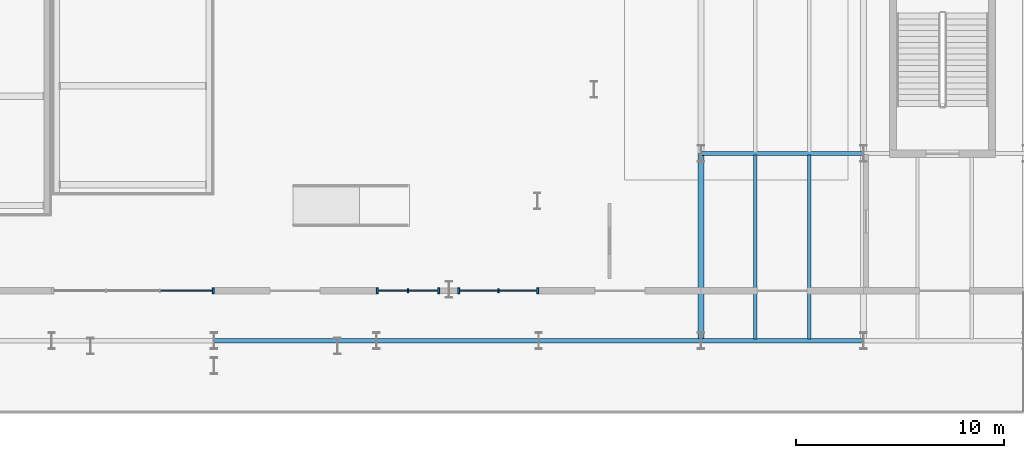
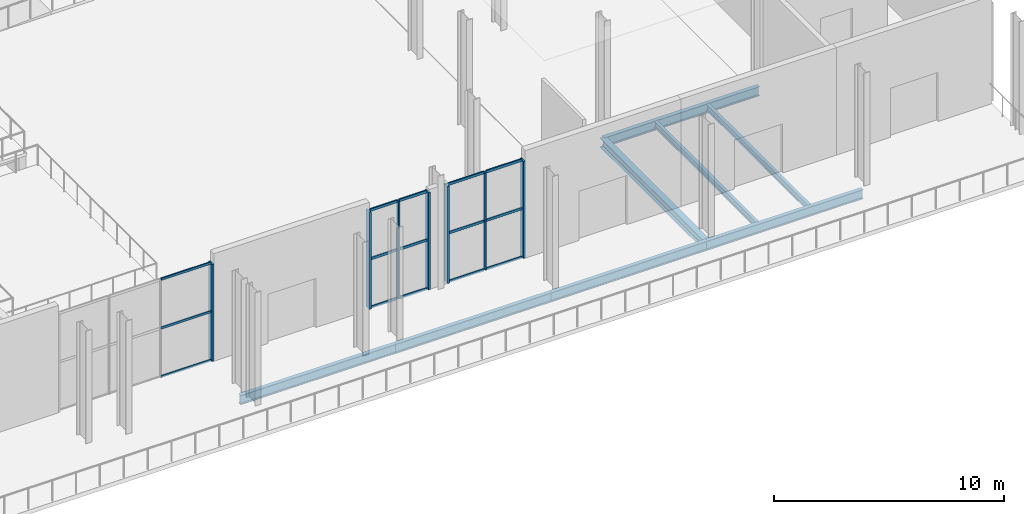
# One storey, part 23 of 84: 22 members, 8 beams, 3 elements without a shape of their own.
"""IFC4 building model written with IfcOpenShell, lengths in metres."""

from ifc_helpers import new_model, si_unit, direction, frame, origin, origin_2d, place, context, subcontext, project, spatial, rectangle, i_section, extrude, material, layer, layer_set, material_profile, profile_set, type_object, element, aggregate, save


model = new_model("IFC4")

# Units and contexts
model_context = context("Model", 3, precision=1e-05, world=origin(), true_north=direction((0.0, 1.0)))
body_context = subcontext(model_context, "Body", "Model", "MODEL_VIEW")
ifc_project = project(units=[si_unit("LENGTHUNIT", "METRE"), si_unit("AREAUNIT", "SQUARE_METRE"), si_unit("VOLUMEUNIT", "CUBIC_METRE"), si_unit("PLANEANGLEUNIT", "RADIAN"), si_unit("MASSUNIT", "GRAM", prefix="KILO")], contexts=[model_context])

# Site, building, storey
site_placement = place(None, origin())
site = spatial("IfcSite", under=ifc_project, at=site_placement, CompositionType="ELEMENT")
building_placement = place(site_placement, origin())
building = spatial("IfcBuilding", under=site, at=building_placement, Name="Sefraquen Railside Congress Hotel", CompositionType="ELEMENT")
storey_placement = place(building_placement, origin())
storey = spatial("IfcBuildingStorey", under=building, at=storey_placement, Name="L00", CompositionType="ELEMENT", Elevation=0.0)

# Beams
ifc_material_1 = material(Name="Steel S355JR", Category="steel")
ifc_material_profile_1 = material_profile(ifc_material_1, i_section(OverallWidth=0.199951171875, OverallDepth=0.5, WebThickness=0.01025390625, FlangeThickness=0.01611328125, FilletRadius=0.02099609375, at=origin_2d()), Name="IPE 500")
ifc_profile_set_1 = profile_set([ifc_material_profile_1], Name="Steel S355JR")
beam_type_1 = type_object("IfcBeamType", Name="TB-BM-500", PredefinedType="BEAM", material=ifc_profile_set_1)
for number, where, z_axis, x_axis, name in (
    (1, (64.199951171875, 9.0, -0.64990234375), (1.0, 0.0, 0.0), (0.0, 1.0, 0.0), "Primary girder BM-L00-0006"),
    (2, (72.0, 9.0, -0.64990234375), (1.0, 0.0, 0.0), (0.0, 1.0, 0.0), "Primary girder BM-L00-0007"),
    (3, (79.800048828125, 9.0, -0.64990234375), (1.0, 0.0, 0.0), (0.0, 1.0, 0.0), "Primary girder BM-L00-0008"),
):
    element("IfcBeam", number, at=place(storey_placement, frame(where, z_axis=z_axis, x_axis=x_axis)), inside=storey, type_object=beam_type_1, Name=name, PredefinedType="BEAM", context=body_context, shape_type="SweptSolid", body=[
        extrude(i_section(OverallWidth=0.199951171875, OverallDepth=0.5, WebThickness=0.01025390625, FlangeThickness=0.01611328125, FilletRadius=0.02099609375, at=origin_2d()), origin(), (0.0, 0.0, 1.0), 7.800048828125),
    ])
for number, where, z_axis, x_axis, name in (
    (4, (87.60009765625, 9.0, -0.64990234375), (1.0, 0.0, 0.0), (0.0, 1.0, 0.0), "Primary girder BM-L00-0009"),
    (5, (87.60009765625, 18.0, -0.64990234375), (1.0, 0.0, 0.0), (0.0, 1.0, 0.0), "Primary girder BM-L00-0019"),
):
    element("IfcBeam", number, at=place(storey_placement, frame(where, z_axis=z_axis, x_axis=x_axis)), inside=storey, type_object=beam_type_1, Name=name, PredefinedType="BEAM", context=body_context, shape_type="SweptSolid", body=[
        extrude(i_section(OverallWidth=0.199951171875, OverallDepth=0.5, WebThickness=0.01025390625, FlangeThickness=0.01611328125, FilletRadius=0.02099609375, at=origin_2d()), origin(), (0.0, 0.0, 1.0), 7.7998046875),
    ])
ifc_material_profile_2 = material_profile(ifc_material_1, i_section(OverallWidth=0.300048828125, OverallDepth=0.489990234375, WebThickness=0.011962890625, FlangeThickness=0.02294921875, FilletRadius=0.027099609375, at=origin_2d()), Name="HEA 500")
ifc_profile_set_2 = profile_set([ifc_material_profile_2], Name="Steel S355JR")
beam_type_2 = type_object("IfcBeamType", Name="TB-GIR-500", PredefinedType="T_BEAM", material=ifc_profile_set_2)
beam_placement = place(storey_placement, frame((87.60009765625, 9.0, -0.64501953125), z_axis=(0.0, 1.0, 0.0), x_axis=(-1.0, 0.0, 0.0)))
element("IfcBeam", 6, at=beam_placement, inside=storey, type_object=beam_type_2, Name="Floor beam BM-L00-0254", PredefinedType="T_BEAM", context=body_context, shape_type="SweptSolid", body=[
    extrude(i_section(OverallWidth=0.300048828125, OverallDepth=0.489990234375, WebThickness=0.011962890625, FlangeThickness=0.02294921875, FilletRadius=0.027099609375, at=origin_2d()), origin(), (0.0, 0.0, 1.0), 9.0),
])
ifc_material_profile_3 = material_profile(ifc_material_1, i_section(OverallWidth=0.159912109375, OverallDepth=0.330078125, WebThickness=0.007568359375, FlangeThickness=0.011474609375, FilletRadius=0.01806640625, at=origin_2d()), Name="IPE 330")
ifc_profile_set_3 = profile_set([ifc_material_profile_3], Name="Steel S355JR")
beam_type_3 = type_object("IfcBeamType", Name="TB-JST-330", PredefinedType="JOIST", material=ifc_profile_set_3)
for number, where, z_axis, x_axis, name in (
    (7, (90.199951171875, 9.080078125, -0.56494140625), (0.0, 1.0, 0.0), (-1.0, 0.0, 0.0), "Composite floor joist BM-L00-J0126"),
    (8, (92.800048828125, 9.080078125, -0.56494140625), (0.0, 1.0, 0.0), (-1.0, 0.0, 0.0), "Composite floor joist BM-L00-J0127"),
):
    element("IfcBeam", number, at=place(storey_placement, frame(where, z_axis=z_axis, x_axis=x_axis)), inside=storey, type_object=beam_type_3, Name=name, PredefinedType="JOIST", context=body_context, shape_type="SweptSolid", body=[
        extrude(i_section(OverallWidth=0.159912109375, OverallDepth=0.330078125, WebThickness=0.007568359375, FlangeThickness=0.011474609375, FilletRadius=0.01806640625, at=origin_2d()), origin(), (0.0, 0.0, 1.0), 8.83984375),
    ])

# Curtain wall, member
ifc_material_2 = material(Name="Thermally broken anodised aluminium and low-E double glazing", Category="aluminium")
ifc_layer_1 = layer(ifc_material_2, 0.199951171875)
ifc_layer_set_1 = layer_set([ifc_layer_1], Name="Thermally broken anodised aluminium and low-E double glazing")
curtain_wall_type_1 = type_object("IfcCurtainWallType", Name="TCW-UCW-02", PredefinedType="USERDEFINED", material=ifc_layer_set_1)
curtain_wall_1_placement = place(storey_placement, origin())
curtain_wall_1 = element("IfcCurtainWall", 9, at=curtain_wall_1_placement, inside=storey, type_object=curtain_wall_type_1, Name="Congress arcade curtain wall UCW-02", ObjectType="UNITISED CURTAIN WALL", PredefinedType="USERDEFINED")
ifc_material_3 = material(Name="Thermally broken anodised aluminium 6063-T6", Category="aluminium")
ifc_material_profile_4 = material_profile(ifc_material_3, rectangle(XDim=0.06494140625, YDim=0.179931640625, at=origin_2d()), Name="CWM 65x180")
ifc_profile_set_4 = profile_set([ifc_material_profile_4], Name="Thermally broken anodised aluminium 6063-T6")
member_type_1 = type_object("IfcMemberType", Name="TM-CWM-02", PredefinedType="MULLION", material=ifc_profile_set_4)
member_1_placement = place(storey_placement, frame((73.522705078125, 11.39990234375, 0.0), z_axis=(0.0, 0.0, 1.0), x_axis=(1.0, 0.0, 0.0)))
member_1 = element("IfcMember", 10, at=member_1_placement, type_object=member_type_1, Name="CW-L00-002 mullion 2", PredefinedType="MULLION", context=body_context, shape_type="SweptSolid", body=[
    extrude(rectangle(XDim=0.06494140625, YDim=0.179931640625, at=origin_2d()), origin(), (0.0, 0.0, 1.0), 5.14990234375),
])

curtain_wall_2_placement = place(storey_placement, origin())
curtain_wall_2 = element("IfcCurtainWall", 11, at=curtain_wall_2_placement, inside=storey, type_object=curtain_wall_type_1, Name="Congress arcade curtain wall UCW-02 bay 2", ObjectType="UNITISED CURTAIN WALL", PredefinedType="USERDEFINED")
member_2_placement = place(storey_placement, frame((77.86279296875, 11.39990234375, 0.0), z_axis=(0.0, 0.0, 1.0), x_axis=(1.0, 0.0, 0.0)))
member_2 = element("IfcMember", 12, at=member_2_placement, type_object=member_type_1, Name="CW-L00-002-S2 mullion 2", PredefinedType="MULLION", context=body_context, shape_type="SweptSolid", body=[
    extrude(rectangle(XDim=0.06494140625, YDim=0.179931640625, at=origin_2d()), origin(), (0.0, 0.0, 1.0), 5.14990234375),
])

ifc_layer_2 = layer(ifc_material_2, 0.199951171875)
ifc_layer_set_2 = layer_set([ifc_layer_2], Name="Thermally broken anodised aluminium and low-E double glazing")
curtain_wall_type_2 = type_object("IfcCurtainWallType", Name="TCW-UCW-01", PredefinedType="USERDEFINED", material=ifc_layer_set_2)
curtain_wall_3_placement = place(storey_placement, origin())
curtain_wall_3 = element("IfcCurtainWall", 13, at=curtain_wall_3_placement, inside=storey, type_object=curtain_wall_type_2, Name="Congress arcade curtain wall UCW-01", ObjectType="UNITISED CURTAIN WALL", PredefinedType="USERDEFINED")
ifc_material_profile_5 = material_profile(ifc_material_3, rectangle(XDim=0.094970703125, YDim=0.300048828125, at=origin_2d()), Name="CWM 95x300")
ifc_profile_set_5 = profile_set([ifc_material_profile_5], Name="Thermally broken anodised aluminium 6063-T6")
member_type_2 = type_object("IfcMemberType", Name="TM-CWM-08", PredefinedType="MULLION", material=ifc_profile_set_5)
member_3_placement = place(storey_placement, frame((64.159912109375, 11.39990234375, 0.0), z_axis=(0.0, 0.0, 1.0), x_axis=(1.0, 0.0, 0.0)))
member_3 = element("IfcMember", 14, at=member_3_placement, type_object=member_type_2, Name="CW-L00-001 mullion 4", PredefinedType="MULLION", context=body_context, shape_type="SweptSolid", body=[
    extrude(rectangle(XDim=0.094970703125, YDim=0.300048828125, at=origin_2d()), origin(), (0.0, 0.0, 1.0), 5.14990234375),
])

# Member
member_4_placement = place(storey_placement, frame((72.0400390625, 11.39990234375, 0.0), z_axis=(0.0, 0.0, 1.0), x_axis=(1.0, 0.0, 0.0)))
member_4 = element("IfcMember", 15, at=member_4_placement, type_object=member_type_2, Name="CW-L00-002 mullion 1", PredefinedType="MULLION", context=body_context, shape_type="SweptSolid", body=[
    extrude(rectangle(XDim=0.094970703125, YDim=0.300048828125, at=origin_2d()), origin(), (0.0, 0.0, 1.0), 5.14990234375),
])

member_5_placement = place(storey_placement, frame((75.005615234375, 11.39990234375, 0.0), z_axis=(0.0, 0.0, 1.0), x_axis=(1.0, 0.0, 0.0)))
member_5 = element("IfcMember", 16, at=member_5_placement, type_object=member_type_2, Name="CW-L00-002 mullion 3", PredefinedType="MULLION", context=body_context, shape_type="SweptSolid", body=[
    extrude(rectangle(XDim=0.094970703125, YDim=0.300048828125, at=origin_2d()), origin(), (0.0, 0.0, 1.0), 5.14990234375),
])

member_6_placement = place(storey_placement, frame((75.965576171875, 11.39990234375, 0.0), z_axis=(0.0, 0.0, 1.0), x_axis=(1.0, 0.0, 0.0)))
member_6 = element("IfcMember", 17, at=member_6_placement, type_object=member_type_2, Name="CW-L00-002-S2 mullion 1", PredefinedType="MULLION", context=body_context, shape_type="SweptSolid", body=[
    extrude(rectangle(XDim=0.094970703125, YDim=0.300048828125, at=origin_2d()), origin(), (0.0, 0.0, 1.0), 5.14990234375),
])

member_7_placement = place(storey_placement, frame((79.760009765625, 11.39990234375, 0.0), z_axis=(0.0, 0.0, 1.0), x_axis=(1.0, 0.0, 0.0)))
member_7 = element("IfcMember", 18, at=member_7_placement, type_object=member_type_2, Name="CW-L00-002-S2 mullion 3", PredefinedType="MULLION", context=body_context, shape_type="SweptSolid", body=[
    extrude(rectangle(XDim=0.094970703125, YDim=0.300048828125, at=origin_2d()), origin(), (0.0, 0.0, 1.0), 5.14990234375),
])

ifc_material_profile_6 = material_profile(ifc_material_3, rectangle(XDim=0.06005859375, YDim=0.1201171875, at=origin_2d()), Name="CWT 60x120")
ifc_profile_set_6 = profile_set([ifc_material_profile_6], Name="Thermally broken anodised aluminium 6063-T6")
member_type_3 = type_object("IfcMemberType", Name="TM-CWT-01", PredefinedType="USERDEFINED", material=ifc_profile_set_6)
member_8_placement = place(storey_placement, frame((61.631591796875, 11.39990234375, 0.0), z_axis=(1.0, 0.0, 0.0), x_axis=(0.0, 1.0, 0.0)))
member_8 = element("IfcMember", 19, at=member_8_placement, type_object=member_type_3, Name="CW-L00-001 transom 1.3", ObjectType="TRANSOM", PredefinedType="USERDEFINED", context=body_context, shape_type="SweptSolid", body=[
    extrude(rectangle(XDim=0.06005859375, YDim=0.1201171875, at=origin_2d()), origin(), (0.0, 0.0, 1.0), 2.4833984375),
])

member_9_placement = place(storey_placement, frame((61.631591796875, 11.39990234375, 2.574951171875), z_axis=(1.0, 0.0, 0.0), x_axis=(0.0, 1.0, 0.0)))
member_9 = element("IfcMember", 20, at=member_9_placement, type_object=member_type_3, Name="CW-L00-001 transom 2.3", ObjectType="TRANSOM", PredefinedType="USERDEFINED", context=body_context, shape_type="SweptSolid", body=[
    extrude(rectangle(XDim=0.06005859375, YDim=0.1201171875, at=origin_2d()), origin(), (0.0, 0.0, 1.0), 2.4833984375),
])

member_10_placement = place(storey_placement, frame((61.631591796875, 11.39990234375, 5.14990234375), z_axis=(1.0, 0.0, 0.0), x_axis=(0.0, 1.0, 0.0)))
member_10 = element("IfcMember", 21, at=member_10_placement, type_object=member_type_3, Name="CW-L00-001 transom 3.3", ObjectType="TRANSOM", PredefinedType="USERDEFINED", context=body_context, shape_type="SweptSolid", body=[
    extrude(rectangle(XDim=0.06005859375, YDim=0.1201171875, at=origin_2d()), origin(), (0.0, 0.0, 1.0), 2.4833984375),
])

aggregate(curtain_wall_3, [member_3, member_8, member_9, member_10])

ifc_material_profile_7 = material_profile(ifc_material_3, rectangle(XDim=0.06494140625, YDim=0.135009765625, at=origin_2d()), Name="CWT 65x135")
ifc_profile_set_7 = profile_set([ifc_material_profile_7], Name="Thermally broken anodised aluminium 6063-T6")
member_type_4 = type_object("IfcMemberType", Name="TM-CWT-02", PredefinedType="USERDEFINED", material=ifc_profile_set_7)
member_11_placement = place(storey_placement, frame((72.0849609375, 11.39990234375, 0.0), z_axis=(1.0, 0.0, 0.0), x_axis=(0.0, 1.0, 0.0)))
member_11 = element("IfcMember", 22, at=member_11_placement, type_object=member_type_4, Name="CW-L00-002 transom 1.1", ObjectType="TRANSOM", PredefinedType="USERDEFINED", context=body_context, shape_type="SweptSolid", body=[
    extrude(rectangle(XDim=0.06494140625, YDim=0.135009765625, at=origin_2d()), origin(), (0.0, 0.0, 1.0), 1.392822265625),
])

member_12_placement = place(storey_placement, frame((73.56787109375, 11.39990234375, 0.0), z_axis=(1.0, 0.0, 0.0), x_axis=(0.0, 1.0, 0.0)))
member_12 = element("IfcMember", 23, at=member_12_placement, type_object=member_type_4, Name="CW-L00-002 transom 1.2", ObjectType="TRANSOM", PredefinedType="USERDEFINED", context=body_context, shape_type="SweptSolid", body=[
    extrude(rectangle(XDim=0.06494140625, YDim=0.135009765625, at=origin_2d()), origin(), (0.0, 0.0, 1.0), 1.392578125),
])

member_13_placement = place(storey_placement, frame((72.0849609375, 11.39990234375, 2.574951171875), z_axis=(1.0, 0.0, 0.0), x_axis=(0.0, 1.0, 0.0)))
member_13 = element("IfcMember", 24, at=member_13_placement, type_object=member_type_4, Name="CW-L00-002 transom 2.1", ObjectType="TRANSOM", PredefinedType="USERDEFINED", context=body_context, shape_type="SweptSolid", body=[
    extrude(rectangle(XDim=0.06494140625, YDim=0.135009765625, at=origin_2d()), origin(), (0.0, 0.0, 1.0), 1.392822265625),
])

member_14_placement = place(storey_placement, frame((73.56787109375, 11.39990234375, 2.574951171875), z_axis=(1.0, 0.0, 0.0), x_axis=(0.0, 1.0, 0.0)))
member_14 = element("IfcMember", 25, at=member_14_placement, type_object=member_type_4, Name="CW-L00-002 transom 2.2", ObjectType="TRANSOM", PredefinedType="USERDEFINED", context=body_context, shape_type="SweptSolid", body=[
    extrude(rectangle(XDim=0.06494140625, YDim=0.135009765625, at=origin_2d()), origin(), (0.0, 0.0, 1.0), 1.392578125),
])

member_15_placement = place(storey_placement, frame((72.0849609375, 11.39990234375, 5.14990234375), z_axis=(1.0, 0.0, 0.0), x_axis=(0.0, 1.0, 0.0)))
member_15 = element("IfcMember", 26, at=member_15_placement, type_object=member_type_4, Name="CW-L00-002 transom 3.1", ObjectType="TRANSOM", PredefinedType="USERDEFINED", context=body_context, shape_type="SweptSolid", body=[
    extrude(rectangle(XDim=0.06494140625, YDim=0.135009765625, at=origin_2d()), origin(), (0.0, 0.0, 1.0), 1.392822265625),
])

member_16_placement = place(storey_placement, frame((73.56787109375, 11.39990234375, 5.14990234375), z_axis=(1.0, 0.0, 0.0), x_axis=(0.0, 1.0, 0.0)))
member_16 = element("IfcMember", 27, at=member_16_placement, type_object=member_type_4, Name="CW-L00-002 transom 3.2", ObjectType="TRANSOM", PredefinedType="USERDEFINED", context=body_context, shape_type="SweptSolid", body=[
    extrude(rectangle(XDim=0.06494140625, YDim=0.135009765625, at=origin_2d()), origin(), (0.0, 0.0, 1.0), 1.392578125),
])

aggregate(curtain_wall_1, [member_4, member_1, member_5, member_11, member_12, member_13, member_14, member_15, member_16])

member_17_placement = place(storey_placement, frame((76.010498046875, 11.39990234375, 0.0), z_axis=(1.0, 0.0, 0.0), x_axis=(0.0, 1.0, 0.0)))
member_17 = element("IfcMember", 28, at=member_17_placement, type_object=member_type_4, Name="CW-L00-002-S2 transom 1.1", ObjectType="TRANSOM", PredefinedType="USERDEFINED", context=body_context, shape_type="SweptSolid", body=[
    extrude(rectangle(XDim=0.06494140625, YDim=0.135009765625, at=origin_2d()), origin(), (0.0, 0.0, 1.0), 1.807373046875),
])

member_18_placement = place(storey_placement, frame((77.90771484375, 11.39990234375, 0.0), z_axis=(1.0, 0.0, 0.0), x_axis=(0.0, 1.0, 0.0)))
member_18 = element("IfcMember", 29, at=member_18_placement, type_object=member_type_4, Name="CW-L00-002-S2 transom 1.2", ObjectType="TRANSOM", PredefinedType="USERDEFINED", context=body_context, shape_type="SweptSolid", body=[
    extrude(rectangle(XDim=0.06494140625, YDim=0.135009765625, at=origin_2d()), origin(), (0.0, 0.0, 1.0), 1.807373046875),
])

member_19_placement = place(storey_placement, frame((76.010498046875, 11.39990234375, 2.574951171875), z_axis=(1.0, 0.0, 0.0), x_axis=(0.0, 1.0, 0.0)))
member_19 = element("IfcMember", 30, at=member_19_placement, type_object=member_type_4, Name="CW-L00-002-S2 transom 2.1", ObjectType="TRANSOM", PredefinedType="USERDEFINED", context=body_context, shape_type="SweptSolid", body=[
    extrude(rectangle(XDim=0.06494140625, YDim=0.135009765625, at=origin_2d()), origin(), (0.0, 0.0, 1.0), 1.807373046875),
])

member_20_placement = place(storey_placement, frame((77.90771484375, 11.39990234375, 2.574951171875), z_axis=(1.0, 0.0, 0.0), x_axis=(0.0, 1.0, 0.0)))
member_20 = element("IfcMember", 31, at=member_20_placement, type_object=member_type_4, Name="CW-L00-002-S2 transom 2.2", ObjectType="TRANSOM", PredefinedType="USERDEFINED", context=body_context, shape_type="SweptSolid", body=[
    extrude(rectangle(XDim=0.06494140625, YDim=0.135009765625, at=origin_2d()), origin(), (0.0, 0.0, 1.0), 1.807373046875),
])

member_21_placement = place(storey_placement, frame((76.010498046875, 11.39990234375, 5.14990234375), z_axis=(1.0, 0.0, 0.0), x_axis=(0.0, 1.0, 0.0)))
member_21 = element("IfcMember", 32, at=member_21_placement, type_object=member_type_4, Name="CW-L00-002-S2 transom 3.1", ObjectType="TRANSOM", PredefinedType="USERDEFINED", context=body_context, shape_type="SweptSolid", body=[
    extrude(rectangle(XDim=0.06494140625, YDim=0.135009765625, at=origin_2d()), origin(), (0.0, 0.0, 1.0), 1.807373046875),
])

member_22_placement = place(storey_placement, frame((77.90771484375, 11.39990234375, 5.14990234375), z_axis=(1.0, 0.0, 0.0), x_axis=(0.0, 1.0, 0.0)))
member_22 = element("IfcMember", 33, at=member_22_placement, type_object=member_type_4, Name="CW-L00-002-S2 transom 3.2", ObjectType="TRANSOM", PredefinedType="USERDEFINED", context=body_context, shape_type="SweptSolid", body=[
    extrude(rectangle(XDim=0.06494140625, YDim=0.135009765625, at=origin_2d()), origin(), (0.0, 0.0, 1.0), 1.807373046875),
])

aggregate(curtain_wall_2, [member_6, member_2, member_7, member_17, member_18, member_19, member_20, member_21, member_22])

save(model, "model.ifc")
